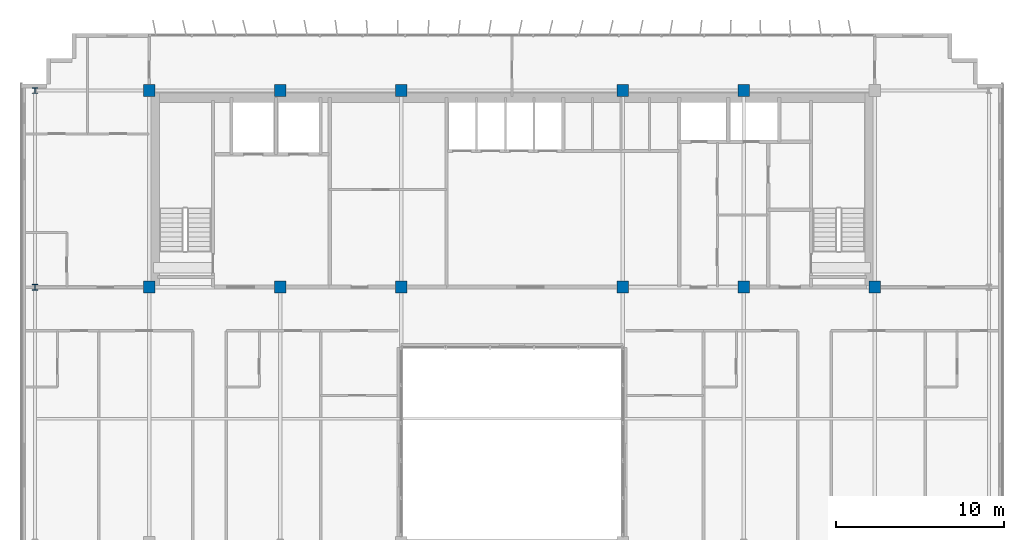
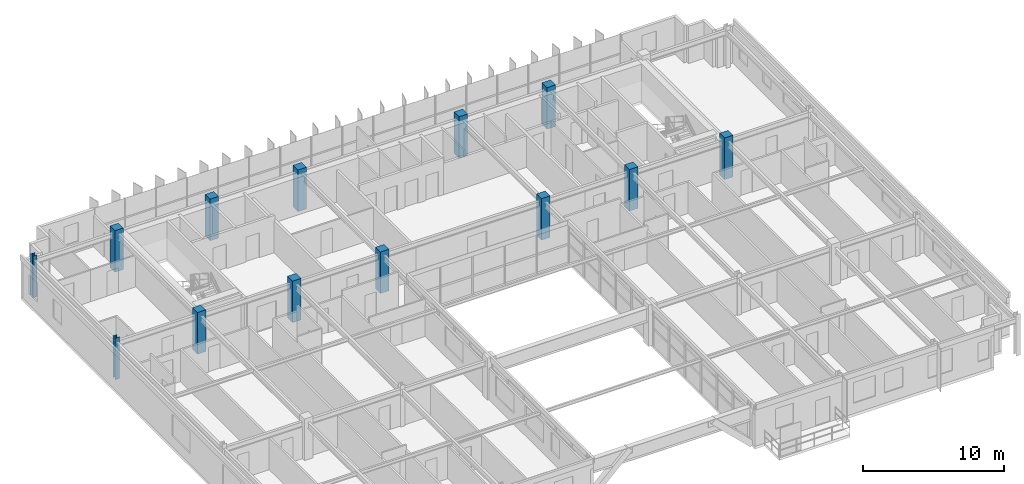
# One storey, part 3 of 37: 13 columns.
"""IFC4 building model written with IfcOpenShell, lengths in metres."""

import ifcopenshell
import ifcopenshell.guid

model = None  # the IFC model being written
_history = None  # IfcOwnerHistory: only IFC2X3 demands one
_inside = {}  # id of a spatial element -> (the spatial element, [elements in it])
_under = {}  # id of a project, library or spatial element -> (it, [spatial elements below it])
_declared = {}  # id of a project -> (the project, [libraries it declares])
_typed = {}  # id of a type object -> (the type object, [elements of that type])
_made_of = {}  # id of a material, layer set ... -> (it, [elements and type objects made of it])


def new_model(schema):
    """Start an empty IFC model of exactly this schema.

    Asked for "IFC4X3", IfcOpenShell would pick the latest addendum, in which some entities
    have other attributes; the version numbers below select the first issue.
    IFC2X3 requires an IfcOwnerHistory on every rooted entity: one is made here for all.
    """
    global model, _history
    if schema == "IFC4X3":
        model = ifcopenshell.file(schema_version=(4, 3, 0, 0))
    else:
        model = ifcopenshell.file(schema=schema)
    _inside.clear()
    _under.clear()
    _declared.clear()
    _typed.clear()
    _made_of.clear()
    _history = None
    if model.schema == "IFC2X3":
        org = make("IfcOrganization", Name="unknown")
        user = make(
            "IfcPersonAndOrganization",
            ThePerson=make("IfcPerson", FamilyName="unknown"),
            TheOrganization=org,
        )
        app = make(
            "IfcApplication",
            ApplicationDeveloper=org,
            Version="unknown",
            ApplicationFullName="unknown",
            ApplicationIdentifier="unknown",
        )
        _history = make(
            "IfcOwnerHistory",
            OwningUser=user,
            OwningApplication=app,
            ChangeAction="ADDED",
            CreationDate=0,
        )
    return model


def make(cls, **values):
    """One entity of the class cls with the attributes given. An attribute that is None is left unset."""
    return model.create_entity(
        cls, **{name: value for name, value in values.items() if value is not None}
    )


def rooted(cls, **values):
    """An entity with a GlobalId (a new one), such as an element, a storey or a relation."""
    return make(cls, GlobalId=ifcopenshell.guid.new(), OwnerHistory=_history, **values)


def si_unit(unit_type, name, prefix=None):
    """IfcSIUnit, for example si_unit("LENGTHUNIT", "METRE", prefix="MILLI")."""
    return make("IfcSIUnit", UnitType=unit_type, Prefix=prefix, Name=name)


def assignment(units):
    """IfcUnitAssignment: the units of a project."""
    return None if units is None else make("IfcUnitAssignment", Units=units)


def point(xyz):
    """IfcCartesianPoint."""
    return None if xyz is None else make("IfcCartesianPoint", Coordinates=xyz)


def direction(xyz):
    """IfcDirection."""
    return None if xyz is None else make("IfcDirection", DirectionRatios=xyz)


def frame(location, z_axis=None, x_axis=None):
    """IfcAxis2Placement3D, a coordinate frame: its origin and axes. An axis left out is left unset."""
    return make(
        "IfcAxis2Placement3D",
        Location=point(location),
        Axis=direction(z_axis),
        RefDirection=direction(x_axis),
    )


def frame_2d(location, x_axis=None):
    """IfcAxis2Placement2D, a coordinate frame in the plane: its origin and x axis."""
    return make(
        "IfcAxis2Placement2D", Location=point(location), RefDirection=direction(x_axis)
    )


def origin():
    """The frame at (0, 0, 0) with its axes left unset."""
    return frame((0.0, 0.0, 0.0))


def origin_2d():
    """The frame at (0, 0) in the plane with its x axis left unset."""
    return frame_2d((0.0, 0.0))


def place(relative_to, where):
    """IfcLocalPlacement: puts the frame where relative to a parent placement (None: the world)."""
    return make(
        "IfcLocalPlacement", PlacementRelTo=relative_to, RelativePlacement=where
    )


def context(
    kind, dimensions, precision=None, world=None, true_north=None, identifier=None
):
    """IfcGeometricRepresentationContext, for example the 3D "Model" context."""
    return make(
        "IfcGeometricRepresentationContext",
        ContextIdentifier=identifier,
        ContextType=kind,
        CoordinateSpaceDimension=dimensions,
        Precision=precision,
        WorldCoordinateSystem=world,
        TrueNorth=true_north,
    )


def subcontext(parent, identifier, kind, view, scale=None):
    """IfcGeometricRepresentationSubContext, for example "Body" below "Model"."""
    return make(
        "IfcGeometricRepresentationSubContext",
        ContextIdentifier=identifier,
        ContextType=kind,
        ParentContext=parent,
        TargetScale=scale,
        TargetView=view,
    )


def project(units=None, contexts=None):
    """IfcProject with its units and contexts."""
    return rooted(
        "IfcProject",
        Name="project",
        RepresentationContexts=contexts,
        UnitsInContext=assignment(units),
    )


def spatial(cls, under=None, at=None, **own):
    """A site, building, storey or space (cls), placed at a placement, below another one or the project."""
    s = rooted(cls, ObjectPlacement=at, **own)
    if under is not None:
        _under.setdefault(under.id(), (under, []))[1].append(s)
    return s


def profile(cls, at=None, kind="AREA", **sizes):
    """A parametric profile (cls). Its sizes go by their IFC names, for example OverallWidth=200.0."""
    return make(cls, ProfileType=kind, Position=at, **sizes)


def rectangle(**sizes):
    """IfcRectangleProfileDef."""
    return profile("IfcRectangleProfileDef", **sizes)


def i_section(**sizes):
    """IfcIShapeProfileDef."""
    return profile("IfcIShapeProfileDef", **sizes)


def extrude(swept, where, along, depth):
    """IfcExtrudedAreaSolid: the profile swept, set in the frame where, extruded along a direction by depth."""
    return make(
        "IfcExtrudedAreaSolid",
        SweptArea=swept,
        Position=where,
        ExtrudedDirection=direction(along),
        Depth=depth,
    )


def shape(context_of_items, identifier, shape_type, items):
    """IfcShapeRepresentation: the items that make up one representation, for example the "Body"."""
    return make(
        "IfcShapeRepresentation",
        ContextOfItems=context_of_items,
        RepresentationIdentifier=identifier,
        RepresentationType=shape_type,
        Items=items,
    )


def source(mapping_origin, context_of_items, identifier, shape_type, items):
    """IfcRepresentationMap: a shape defined once, which mapped items show again and again."""
    return make(
        "IfcRepresentationMap",
        MappingOrigin=mapping_origin,
        MappedRepresentation=shape(context_of_items, identifier, shape_type, items),
    )


def transform(
    local_origin,
    x_axis=None,
    y_axis=None,
    z_axis=None,
    scale=None,
    scale2=None,
    scale3=None,
    uniform=True,
):
    """IfcCartesianTransformationOperator3D, or its non-uniform kind. x_axis, y_axis, z_axis: its Axis1, 2, 3."""
    if uniform:
        return make(
            "IfcCartesianTransformationOperator3D",
            Axis1=direction(x_axis),
            Axis2=direction(y_axis),
            LocalOrigin=point(local_origin),
            Scale=scale,
            Axis3=direction(z_axis),
        )
    return make(
        "IfcCartesianTransformationOperator3DnonUniform",
        Axis1=direction(x_axis),
        Axis2=direction(y_axis),
        LocalOrigin=point(local_origin),
        Scale=scale,
        Axis3=direction(z_axis),
        Scale2=scale2,
        Scale3=scale3,
    )


def mapped(mapping_source, mapping_target):
    """IfcMappedItem: shows the shape of a source again, moved by a transform."""
    return make(
        "IfcMappedItem", MappingSource=mapping_source, MappingTarget=mapping_target
    )


def material(Name=None, Category=None):
    """IfcMaterial."""
    return make("IfcMaterial", Name=Name, Category=Category)


def material_profile(
    of_material, cross_section, Name=None, Category=None, Priority=None
):
    """IfcMaterialProfile: a cross section and its material."""
    return make(
        "IfcMaterialProfile",
        Name=Name,
        Material=of_material,
        Profile=cross_section,
        Priority=Priority,
        Category=Category,
    )


def profile_set(profiles, Name=None, composite=None):
    """IfcMaterialProfileSet."""
    return make(
        "IfcMaterialProfileSet",
        Name=Name,
        MaterialProfiles=profiles,
        CompositeProfile=composite,
    )


def made_of(thing, what):
    """Note that an element or type object is made of a material, layer set ...; save() writes the relation."""
    if what is not None:
        _made_of.setdefault(what.id(), (what, []))[1].append(thing)
    return thing


def type_object(cls, material=None, **own):
    """A type object (cls), such as IfcWallType, which elements share."""
    return made_of(rooted(cls, **own), material)


def element(
    cls,
    number,
    at=None,
    inside=None,
    cuts=None,
    type_object=None,
    material=None,
    context=None,
    identifier="Body",
    shape_type=None,
    held_by="IfcProductDefinitionShape",
    body=None,
    shapes=None,
    **own,
):
    """One element of the class cls, such as IfcWall. Its Tag is "e" and its number.

    at: its placement. inside: the storey or other place that contains it. cuts: it is an
    opening in that element (IfcRelVoidsElement). A single representation is given by context,
    identifier, shape_type and body (its items); several are given by shapes. held_by: the class
    of the entity that holds the representations. save() writes the other relations.
    """
    e = rooted(cls, Tag="e%d" % number, ObjectPlacement=at, **own)
    if body is not None:
        shapes = [shape(context, identifier, shape_type, body)]
    if shapes is not None:
        e.Representation = make(held_by, Representations=shapes)
    if inside is not None:
        _inside.setdefault(inside.id(), (inside, []))[1].append(e)
    if cuts is not None:
        rooted(
            "IfcRelVoidsElement", RelatingBuildingElement=cuts, RelatedOpeningElement=e
        )
    if type_object is not None:
        _typed.setdefault(type_object.id(), (type_object, []))[1].append(e)
    return made_of(e, material)


def aggregate(whole, parts):
    """IfcRelAggregates: a whole, such as a stair, and the parts it consists of."""
    return rooted("IfcRelAggregates", RelatingObject=whole, RelatedObjects=parts)


def save(model, path):
    """Write the relations noted so far, then the file.

    IfcRelAggregates (storeys below a building ...), IfcRelContainedInSpatialStructure (elements
    in a storey), IfcRelDefinesByType, IfcRelAssociatesMaterial and IfcRelDeclares: one each for
    every whole, place, type object, material and project.
    """
    for whole, parts in _under.values():
        aggregate(whole, parts)
    for where, things in _inside.values():
        rooted(
            "IfcRelContainedInSpatialStructure",
            RelatedElements=things,
            RelatingStructure=where,
        )
    for kind, things in _typed.values():
        rooted("IfcRelDefinesByType", RelatedObjects=things, RelatingType=kind)
    for what, things in _made_of.values():
        rooted("IfcRelAssociatesMaterial", RelatedObjects=things, RelatingMaterial=what)
    for by, libraries in _declared.values():
        rooted("IfcRelDeclares", RelatingContext=by, RelatedDefinitions=libraries)
    model.write(path)


model = new_model("IFC4")

# Units and contexts
model_context = context("Model", 3, precision=1e-05, world=origin(), true_north=direction((0.0, 1.0)))
body_context = subcontext(model_context, "Body", "Model", "MODEL_VIEW")
ifc_project = project(units=[si_unit("LENGTHUNIT", "METRE"), si_unit("AREAUNIT", "SQUARE_METRE"), si_unit("VOLUMEUNIT", "CUBIC_METRE"), si_unit("PLANEANGLEUNIT", "RADIAN"), si_unit("MASSUNIT", "GRAM", prefix="KILO")], contexts=[model_context])

# Site, building, storey
site_placement = place(None, origin())
site = spatial("IfcSite", under=ifc_project, at=site_placement, CompositionType="ELEMENT")
building_placement = place(site_placement, origin())
building = spatial("IfcBuilding", under=site, at=building_placement, Name="Trelvane Seafront Commons", CompositionType="ELEMENT")
storey_placement = place(building_placement, frame((0.0, 0.0, 201.300048828125)))
storey = spatial("IfcBuildingStorey", under=building, at=storey_placement, Name="L52", CompositionType="ELEMENT", Elevation=201.300048828125)

# Columns
ifc_material_1 = material(Name="Concrete C50/60", Category="concrete")
ifc_material_profile_1 = material_profile(ifc_material_1, rectangle(XDim=0.699951171875, YDim=0.699951171875, at=origin_2d()), Name="RC-700x700")
ifc_profile_set_1 = profile_set([ifc_material_profile_1], Name="Concrete C50/60")
column_type_1 = type_object("IfcColumnType", Name="STR-COL-RC700", PredefinedType="COLUMN", material=ifc_profile_set_1)
shared_shape_1 = source(origin(), body_context, "Body", "SweptSolid", [
    extrude(rectangle(XDim=0.699951171875, YDim=0.699951171875, at=origin_2d()), origin(), (0.0, 0.0, 1.0), 3.599853515625),
])
for number, where, z_axis, x_axis, name in (
    (1, (15.60009765625, 33.39990234375, 0.0), (0.0, 0.0, 1.0), (1.0, 0.0, 0.0), "L52 Column TC-CS15.6"),
    (2, (15.60009765625, 45.10009765625, 0.0), (0.0, 0.0, 1.0), (1.0, 0.0, 0.0), "L52 Column TC-CN15.6"),
    (3, (23.39990234375, 33.39990234375, 0.0), (0.0, 0.0, 1.0), (1.0, 0.0, 0.0), "L52 Column TC-CS23.4"),
    (4, (23.39990234375, 45.10009765625, 0.0), (0.0, 0.0, 1.0), (1.0, 0.0, 0.0), "L52 Column TC-CN23.4"),
    (5, (30.60009765625, 33.39990234375, 0.0), (0.0, 0.0, 1.0), (1.0, 0.0, 0.0), "L52 Column TC-CS30.6"),
    (6, (30.60009765625, 45.10009765625, 0.0), (0.0, 0.0, 1.0), (1.0, 0.0, 0.0), "L52 Column TC-CN30.6"),
    (7, (43.800048828125, 33.39990234375, 0.0), (0.0, 0.0, 1.0), (1.0, 0.0, 0.0), "L52 Column TC-CS43.8"),
    (8, (43.800048828125, 45.10009765625, 0.0), (0.0, 0.0, 1.0), (1.0, 0.0, 0.0), "L52 Column TC-CN43.8"),
    (9, (51.0, 33.39990234375, 0.0), (0.0, 0.0, 1.0), (1.0, 0.0, 0.0), "L52 Column TC-CS51.0"),
    (10, (51.0, 45.10009765625, 0.0), (0.0, 0.0, 1.0), (1.0, 0.0, 0.0), "L52 Column TC-CN51.0"),
    (11, (58.800048828125, 33.39990234375, 0.0), (0.0, 0.0, 1.0), (1.0, 0.0, 0.0), "L52 Column TC-CS58.8"),
):
    element("IfcColumn", number, at=place(storey_placement, frame(where, z_axis=z_axis, x_axis=x_axis)), inside=storey, type_object=column_type_1, Name=name, PredefinedType="COLUMN", context=body_context, shape_type="MappedRepresentation", body=[
        mapped(shared_shape_1, transform((0.0, 0.0, 0.0), x_axis=(1.0, 0.0, 0.0), y_axis=(0.0, 1.0, 0.0), z_axis=(0.0, 0.0, 1.0), scale=1.0)),
    ])
ifc_material_2 = material(Name="Steel SM355 (S355)", Category="steel")
ifc_material_profile_2 = material_profile(ifc_material_2, i_section(OverallWidth=0.35009765625, OverallDepth=0.35009765625, WebThickness=0.01806640625, FlangeThickness=0.028076171875, at=origin_2d()), Name="HD-350x350x18x28")
ifc_profile_set_2 = profile_set([ifc_material_profile_2], Name="Steel SM355 (S355)")
column_type_2 = type_object("IfcColumnType", Name="STR-COL-HD350", PredefinedType="COLUMN", material=ifc_profile_set_2)
shared_shape_2 = source(origin(), body_context, "Body", "SweptSolid", [
    extrude(i_section(OverallWidth=0.35009765625, OverallDepth=0.35009765625, WebThickness=0.01806640625, FlangeThickness=0.028076171875, at=origin_2d()), origin(), (0.0, 0.0, 1.0), 3.599853515625),
])
for number, where, z_axis, x_axis, name in (
    (12, (8.800048828125, 33.39990234375, 0.0), (0.0, 0.0, 1.0), (1.0, 0.0, 0.0), "L52 Column TC-CS8.8"),
    (13, (8.800048828125, 45.10009765625, 0.0), (0.0, 0.0, 1.0), (1.0, 0.0, 0.0), "L52 Column TC-CN8.8"),
):
    element("IfcColumn", number, at=place(storey_placement, frame(where, z_axis=z_axis, x_axis=x_axis)), inside=storey, type_object=column_type_2, Name=name, PredefinedType="COLUMN", context=body_context, shape_type="MappedRepresentation", body=[
        mapped(shared_shape_2, transform((0.0, 0.0, 0.0), x_axis=(1.0, 0.0, 0.0), y_axis=(0.0, 1.0, 0.0), z_axis=(0.0, 0.0, 1.0), scale=1.0)),
    ])

save(model, "model.ifc")
